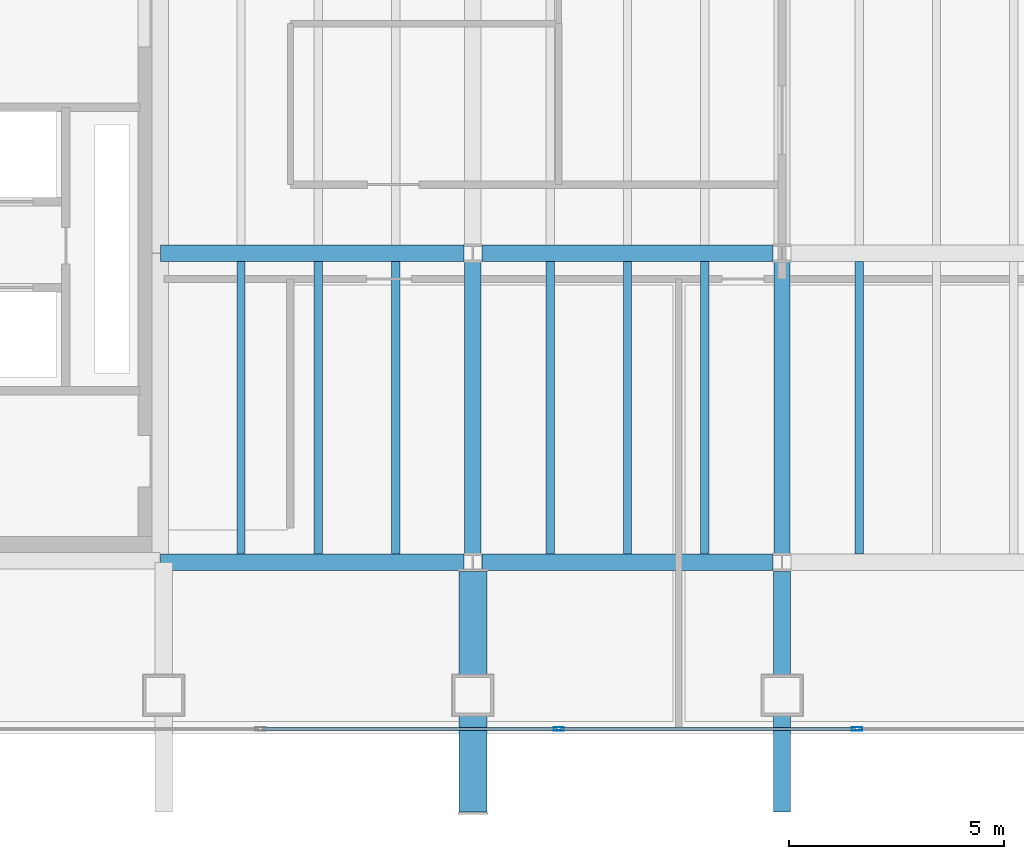
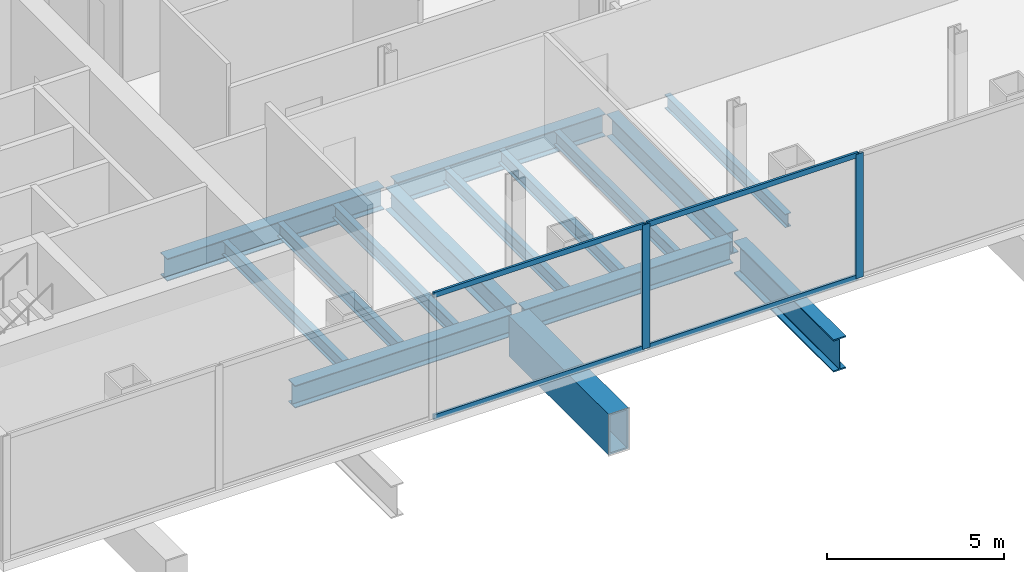
# One storey, part 3 of 16: 15 beams, 6 members, 1 element without a shape of its own.
"""IFC4 building model written with IfcOpenShell, lengths in metres."""

from ifc_helpers import new_model, si_unit, direction, frame, origin, origin_2d, place, context, subcontext, project, spatial, hollow_rectangle, i_section, extrude, material, material_profile, profile_set, type_object, element, aggregate, save


model = new_model("IFC4")

# Units and contexts
model_context = context("Model", 3, precision=1e-05, world=origin(), true_north=direction((0.0, 1.0)))
body_context = subcontext(model_context, "Body", "Model", "MODEL_VIEW")
ifc_project = project(units=[si_unit("LENGTHUNIT", "METRE"), si_unit("AREAUNIT", "SQUARE_METRE"), si_unit("VOLUMEUNIT", "CUBIC_METRE"), si_unit("PLANEANGLEUNIT", "RADIAN"), si_unit("MASSUNIT", "GRAM", prefix="KILO")], contexts=[model_context])

# Site, building, storey
site_placement = place(None, origin())
site = spatial("IfcSite", under=ifc_project, at=site_placement, CompositionType="ELEMENT")
building_placement = place(site_placement, origin())
building = spatial("IfcBuilding", under=site, at=building_placement, Name="Cobrela Telecom Tower", CompositionType="ELEMENT")
storey_placement = place(building_placement, frame((0.0, 0.0, 97.64990234375)))
storey = spatial("IfcBuildingStorey", under=building, at=storey_placement, Name="L24", CompositionType="ELEMENT", Elevation=97.64990234375)

# Beams
ifc_material_1 = material(Name="Steel ASTM A992 Grade 50", Category="steel")
ifc_material_profile_1 = material_profile(ifc_material_1, i_section(OverallWidth=0.381103515625, OverallDepth=0.77197265625, WebThickness=0.0166015625, FlangeThickness=0.027099609375, FilletRadius=0.01904296875, at=origin_2d()), Name="W30X173")
ifc_profile_set_1 = profile_set([ifc_material_profile_1], Name="Steel ASTM A992 Grade 50")
beam_type_1 = type_object("IfcBeamType", Name="BM-GIRD-04", PredefinedType="USERDEFINED", material=ifc_profile_set_1)
beam_1_placement = place(storey_placement, frame((14.324951171875, 7.199951171875, -0.685791015625), z_axis=(1.0, 0.0, 0.0), x_axis=(0.0, 1.0, 0.0)))
element("IfcBeam", 1, at=beam_1_placement, inside=storey, type_object=beam_type_1, Name="L24 Primary Girder X03", ObjectType="GIRDER", PredefinedType="USERDEFINED", context=body_context, shape_type="SweptSolid", body=[
    extrude(i_section(OverallWidth=0.381103515625, OverallDepth=0.77197265625, WebThickness=0.0166015625, FlangeThickness=0.027099609375, FilletRadius=0.01904296875, at=origin_2d()), origin(), (0.0, 0.0, 1.0), 7.0654296875),
])
beam_2_placement = place(storey_placement, frame((21.8095703125, 7.199951171875, -0.685791015625), z_axis=(1.0, 0.0, 0.0), x_axis=(0.0, 1.0, 0.0)))
element("IfcBeam", 2, at=beam_2_placement, inside=storey, type_object=beam_type_1, Name="L24 Primary Girder X04", ObjectType="GIRDER", PredefinedType="USERDEFINED", context=body_context, shape_type="SweptSolid", body=[
    extrude(i_section(OverallWidth=0.381103515625, OverallDepth=0.77197265625, WebThickness=0.0166015625, FlangeThickness=0.027099609375, FilletRadius=0.01904296875, at=origin_2d()), origin(), (0.0, 0.0, 1.0), 6.781005859375),
])
beam_3_placement = place(storey_placement, frame((14.324951171875, 14.39990234375, -0.685791015625), z_axis=(1.0, 0.0, 0.0), x_axis=(0.0, 1.0, 0.0)))
element("IfcBeam", 3, at=beam_3_placement, inside=storey, type_object=beam_type_1, Name="L24 Primary Girder X07", ObjectType="GIRDER", PredefinedType="USERDEFINED", context=body_context, shape_type="SweptSolid", body=[
    extrude(i_section(OverallWidth=0.381103515625, OverallDepth=0.77197265625, WebThickness=0.0166015625, FlangeThickness=0.027099609375, FilletRadius=0.01904296875, at=origin_2d()), origin(), (0.0, 0.0, 1.0), 7.0654296875),
])
for number, where, z_axis, x_axis, name in (
    (4, (21.8095703125, 14.39990234375, -0.685791015625), (1.0, 0.0, 0.0), (0.0, 1.0, 0.0), "L24 Primary Girder X08"),
    (5, (21.60009765625, 7.409423828125, -0.685791015625), (0.0, 1.0, 0.0), (-1.0, 0.0, 0.0), "L24 Primary Girder Y27"),
    (6, (28.800048828125, 7.409423828125, -0.685791015625), (0.0, 1.0, 0.0), (-1.0, 0.0, 0.0), "L24 Primary Girder Y32"),
):
    element("IfcBeam", number, at=place(storey_placement, frame(where, z_axis=z_axis, x_axis=x_axis)), inside=storey, type_object=beam_type_1, Name=name, ObjectType="GIRDER", PredefinedType="USERDEFINED", context=body_context, shape_type="SweptSolid", body=[
        extrude(i_section(OverallWidth=0.381103515625, OverallDepth=0.77197265625, WebThickness=0.0166015625, FlangeThickness=0.027099609375, FilletRadius=0.01904296875, at=origin_2d()), origin(), (0.0, 0.0, 1.0), 6.781005859375),
    ])
ifc_material_profile_2 = material_profile(ifc_material_1, i_section(OverallWidth=0.193115234375, OverallDepth=0.467041015625, WebThickness=0.011474609375, FlangeThickness=0.01904296875, FilletRadius=0.012939453125, at=origin_2d()), Name="W18X65")
ifc_profile_set_2 = profile_set([ifc_material_profile_2], Name="Steel ASTM A992 Grade 50")
beam_type_2 = type_object("IfcBeamType", Name="BM-JOIST-03", PredefinedType="JOIST", material=ifc_profile_set_2)
for number, where, z_axis, x_axis, name in (
    (7, (16.199951171875, 7.3955078125, -0.533447265625), (0.0, 1.0, 0.0), (-1.0, 0.0, 0.0), "L24 Secondary Composite Floor Beam J04"),
    (8, (18.0, 7.3955078125, -0.533447265625), (0.0, 1.0, 0.0), (-1.0, 0.0, 0.0), "L24 Secondary Composite Floor Beam J09"),
    (9, (19.800048828125, 7.3955078125, -0.533447265625), (0.0, 1.0, 0.0), (-1.0, 0.0, 0.0), "L24 Secondary Composite Floor Beam J14"),
    (10, (23.39990234375, 7.3955078125, -0.533447265625), (0.0, 1.0, 0.0), (-1.0, 0.0, 0.0), "L24 Secondary Composite Floor Beam J19"),
    (11, (25.199951171875, 7.3955078125, -0.533447265625), (0.0, 1.0, 0.0), (-1.0, 0.0, 0.0), "L24 Secondary Composite Floor Beam J23"),
    (12, (27.0, 7.3955078125, -0.533447265625), (0.0, 1.0, 0.0), (-1.0, 0.0, 0.0), "L24 Secondary Composite Floor Beam J25"),
    (13, (30.60009765625, 7.3955078125, -0.533447265625), (0.0, 1.0, 0.0), (-1.0, 0.0, 0.0), "L24 Secondary Composite Floor Beam J27"),
):
    element("IfcBeam", number, at=place(storey_placement, frame(where, z_axis=z_axis, x_axis=x_axis)), inside=storey, type_object=beam_type_2, Name=name, PredefinedType="JOIST", context=body_context, shape_type="SweptSolid", body=[
        extrude(i_section(OverallWidth=0.193115234375, OverallDepth=0.467041015625, WebThickness=0.011474609375, FlangeThickness=0.01904296875, FilletRadius=0.012939453125, at=origin_2d()), origin(), (0.0, 0.0, 1.0), 6.80908203125),
    ])
ifc_material_2 = material(Name="Steel ASTM A572 Grade 50", Category="steel")
ifc_material_profile_3 = material_profile(ifc_material_2, hollow_rectangle(XDim=0.64990234375, YDim=1.39990234375, WallThickness=0.054931640625, at=origin_2d()), Name="BOX 1400x650x55")
ifc_profile_set_3 = profile_set([ifc_material_profile_3], Name="Steel ASTM A572 Grade 50")
beam_type_3 = type_object("IfcBeamType", Name="BM-TRG-1400", PredefinedType="USERDEFINED", material=ifc_profile_set_3)
beam_4_placement = place(storey_placement, frame((21.60009765625, 1.3798828125, -1.0), z_axis=(0.0, 1.0, 0.0), x_axis=(-1.0, 0.0, 0.0)))
element("IfcBeam", 14, at=beam_4_placement, inside=storey, type_object=beam_type_3, Name="L24 Transfer Girder 03", ObjectType="GIRDER", PredefinedType="USERDEFINED", context=body_context, shape_type="SweptSolid", body=[
    extrude(hollow_rectangle(XDim=0.64990234375, YDim=1.39990234375, WallThickness=0.054931640625, at=origin_2d()), origin(), (0.0, 0.0, 1.0), 5.610595703125),
])
ifc_material_profile_4 = material_profile(ifc_material_1, i_section(OverallWidth=0.404052734375, OverallDepth=1.117919921875, WebThickness=0.02587890625, FlangeThickness=0.044921875, FilletRadius=0.02490234375, at=origin_2d()), Name="W44X335")
ifc_profile_set_4 = profile_set([ifc_material_profile_4], Name="Steel ASTM A992 Grade 50")
beam_type_4 = type_object("IfcBeamType", Name="BM-TRG-W44", PredefinedType="USERDEFINED", material=ifc_profile_set_4)
beam_5_placement = place(storey_placement, frame((28.800048828125, 1.3798828125, -0.85888671875), z_axis=(0.0, 1.0, 0.0), x_axis=(-1.0, 0.0, 0.0)))
element("IfcBeam", 15, at=beam_5_placement, inside=storey, type_object=beam_type_4, Name="L24 Transfer Girder 06", ObjectType="GIRDER", PredefinedType="USERDEFINED", context=body_context, shape_type="SweptSolid", body=[
    extrude(i_section(OverallWidth=0.404052734375, OverallDepth=1.117919921875, WebThickness=0.02587890625, FlangeThickness=0.044921875, FilletRadius=0.02490234375, at=origin_2d()), origin(), (0.0, 0.0, 1.0), 5.610595703125),
])

# Curtain wall, members
ifc_material_3 = material(Name="Anodized Bronze Aluminium 6063-T6", Category="aluminium")
curtain_wall_type = type_object("IfcCurtainWallType", Name="CW-SYS-SKY", PredefinedType="USERDEFINED", material=ifc_material_3)
curtain_wall_placement = place(storey_placement, origin())
curtain_wall = element("IfcCurtainWall", 16, at=curtain_wall_placement, inside=storey, type_object=curtain_wall_type, Name="L24 Unitised Bronze Curtain Wall 17", ObjectType="UNITISED CURTAIN WALL", PredefinedType="USERDEFINED")
ifc_material_profile_5 = material_profile(ifc_material_3, hollow_rectangle(XDim=0.080078125, YDim=0.239990234375, WallThickness=0.0048828125, at=origin_2d()), Name="ALU 80x240x5")
ifc_profile_set_5 = profile_set([ifc_material_profile_5], Name="Anodized Bronze Aluminium 6063-T6")
member_type_1 = type_object("IfcMemberType", Name="CW-SYS-SKY-MUL", PredefinedType="MULLION", material=ifc_profile_set_5)
member_1_placement = place(storey_placement, frame((30.550048828125, 3.320068359375, 0.0), z_axis=(0.0, 0.0, 1.0), x_axis=(0.0, -1.0, 0.0)))
member_1 = element("IfcMember", 17, at=member_1_placement, type_object=member_type_1, Name="CW-SKY mullion 3", PredefinedType="MULLION", context=body_context, shape_type="SweptSolid", body=[
    extrude(hollow_rectangle(XDim=0.080078125, YDim=0.239990234375, WallThickness=0.0048828125, at=origin_2d()), origin(), (0.0, 0.0, 1.0), 4.280029296875),
])
member_2_placement = place(storey_placement, frame((23.60009765625, 3.320068359375, 0.0), z_axis=(0.0, 0.0, 1.0), x_axis=(0.0, -1.0, 0.0)))
member_2 = element("IfcMember", 18, at=member_2_placement, type_object=member_type_1, Name="CW-SKY mullion 4", PredefinedType="MULLION", context=body_context, shape_type="SweptSolid", body=[
    extrude(hollow_rectangle(XDim=0.080078125, YDim=0.239990234375, WallThickness=0.0048828125, at=origin_2d()), origin(), (0.0, 0.0, 1.0), 4.280029296875),
])
ifc_material_profile_6 = material_profile(ifc_material_3, hollow_rectangle(XDim=0.074951171875, YDim=0.179931640625, WallThickness=0.00390625, at=origin_2d()), Name="ALU 75x180x4")
ifc_profile_set_6 = profile_set([ifc_material_profile_6], Name="Anodized Bronze Aluminium 6063-T6")
member_type_2 = type_object("IfcMemberType", Name="CW-SYS-SKY-TRN", PredefinedType="USERDEFINED", material=ifc_profile_set_6)
member_3_placement = place(storey_placement, frame((30.510009765625, 3.320068359375, 0.03759765625), z_axis=(-1.0, 0.0, 0.0), x_axis=(0.0, -1.0, 0.0)))
member_3 = element("IfcMember", 19, at=member_3_placement, type_object=member_type_2, Name="CW-SKY transom 3.1", ObjectType="TRANSOM", PredefinedType="USERDEFINED", context=body_context, shape_type="SweptSolid", body=[
    extrude(hollow_rectangle(XDim=0.074951171875, YDim=0.179931640625, WallThickness=0.00390625, at=origin_2d()), origin(), (0.0, 0.0, 1.0), 6.8701171875),
])
member_4_placement = place(storey_placement, frame((30.510009765625, 3.320068359375, 4.24267578125), z_axis=(-1.0, 0.0, 0.0), x_axis=(0.0, -1.0, 0.0)))
member_4 = element("IfcMember", 20, at=member_4_placement, type_object=member_type_2, Name="CW-SKY transom 3.2", ObjectType="TRANSOM", PredefinedType="USERDEFINED", context=body_context, shape_type="SweptSolid", body=[
    extrude(hollow_rectangle(XDim=0.074951171875, YDim=0.179931640625, WallThickness=0.00390625, at=origin_2d()), origin(), (0.0, 0.0, 1.0), 6.8701171875),
])
member_5_placement = place(storey_placement, frame((23.56005859375, 3.320068359375, 0.03759765625), z_axis=(-1.0, 0.0, 0.0), x_axis=(0.0, -1.0, 0.0)))
member_5 = element("IfcMember", 21, at=member_5_placement, type_object=member_type_2, Name="CW-SKY transom 4.1", ObjectType="TRANSOM", PredefinedType="USERDEFINED", context=body_context, shape_type="SweptSolid", body=[
    extrude(hollow_rectangle(XDim=0.074951171875, YDim=0.179931640625, WallThickness=0.00390625, at=origin_2d()), origin(), (0.0, 0.0, 1.0), 6.8701171875),
])
member_6_placement = place(storey_placement, frame((23.56005859375, 3.320068359375, 4.24267578125), z_axis=(-1.0, 0.0, 0.0), x_axis=(0.0, -1.0, 0.0)))
member_6 = element("IfcMember", 22, at=member_6_placement, type_object=member_type_2, Name="CW-SKY transom 4.2", ObjectType="TRANSOM", PredefinedType="USERDEFINED", context=body_context, shape_type="SweptSolid", body=[
    extrude(hollow_rectangle(XDim=0.074951171875, YDim=0.179931640625, WallThickness=0.00390625, at=origin_2d()), origin(), (0.0, 0.0, 1.0), 6.8701171875),
])
aggregate(curtain_wall, [member_1, member_2, member_3, member_4, member_5, member_6])

save(model, "model.ifc")
